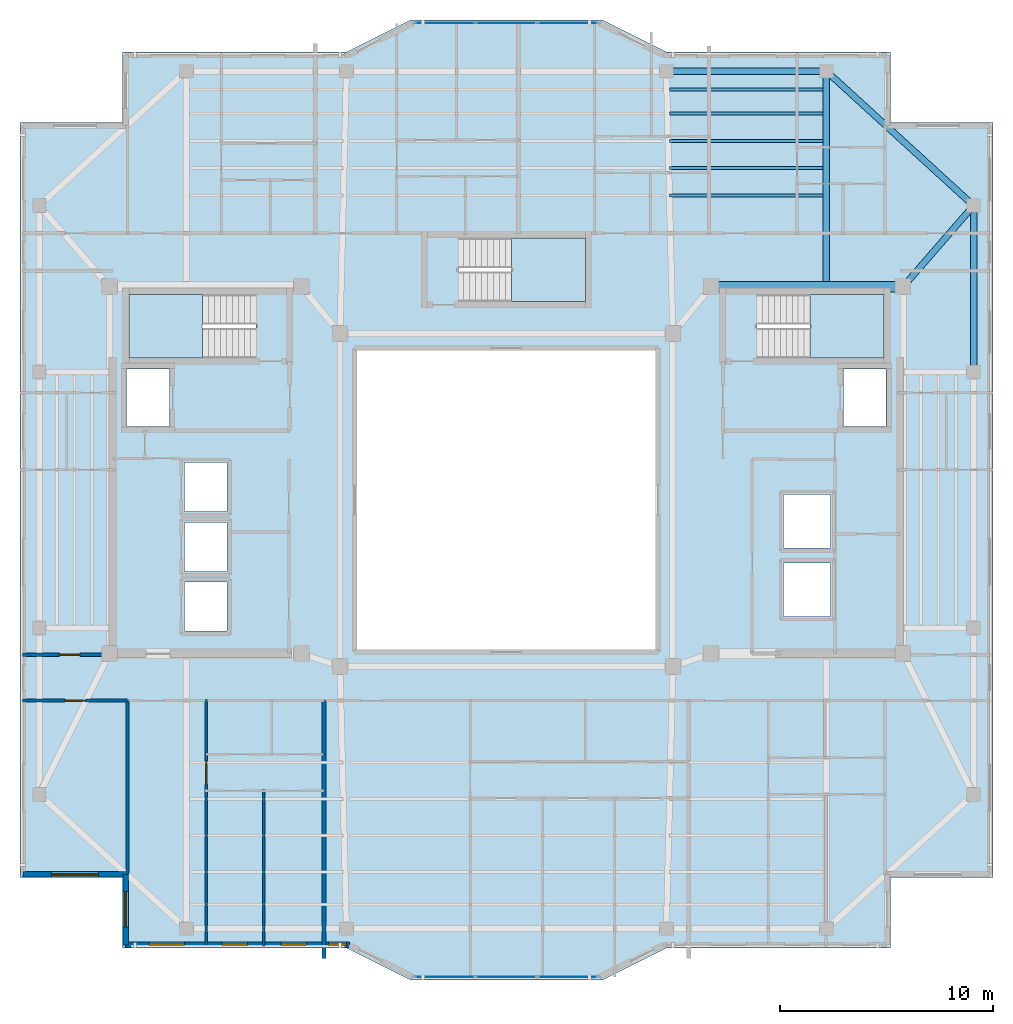
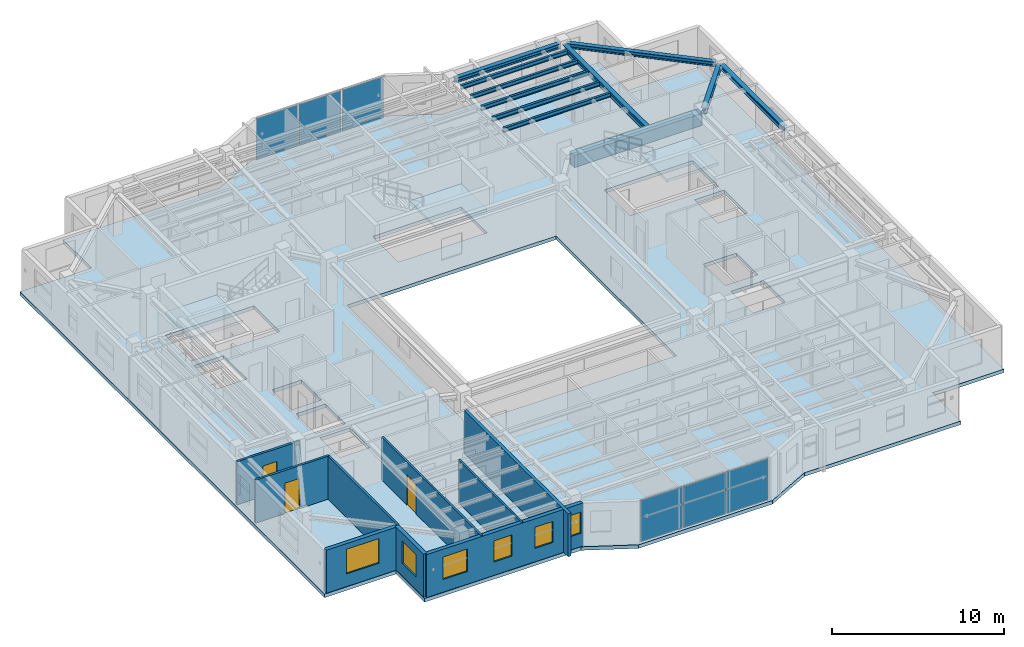
# One storey, part 5 of 15: 11 beams, 9 walls, 6 plates, 6 windows, 4 slabs, 3 doors, 9 openings, 5 elements without a shape of their own.
"""IFC4 building model written with IfcOpenShell, lengths in metres."""

from ifc_helpers import new_model, si_unit, direction, frame, frame_2d, origin, origin_2d, place, context, subcontext, project, spatial, polyline, rectangle, i_section, outline, extrude, material, layer, layer_set, material_profile, profile_set, type_object, element, fill, aggregate, save


model = new_model("IFC4")

# Units and contexts
model_context = context("Model", 3, precision=1e-05, world=origin(), true_north=direction((0.0, 1.0)))
body_context = subcontext(model_context, "Body", "Model", "MODEL_VIEW")
ifc_project = project(units=[si_unit("LENGTHUNIT", "METRE"), si_unit("AREAUNIT", "SQUARE_METRE"), si_unit("VOLUMEUNIT", "CUBIC_METRE"), si_unit("PLANEANGLEUNIT", "RADIAN"), si_unit("MASSUNIT", "GRAM", prefix="KILO")], contexts=[model_context])

# Site, building, storey
site_placement = place(None, origin())
site = spatial("IfcSite", under=ifc_project, at=site_placement, CompositionType="ELEMENT")
building_placement = place(site_placement, origin())
building = spatial("IfcBuilding", under=site, at=building_placement, Name="Tarnavaz Court Tower", CompositionType="ELEMENT")
storey_placement = place(building_placement, frame((0.0, 0.0, 268.300048828125)))
storey = spatial("IfcBuildingStorey", under=building, at=storey_placement, Name="L73", CompositionType="ELEMENT", Elevation=268.300048828125)

# Beams
ifc_material_1 = material(Name="Concrete C50/60", Category="concrete")
ifc_material_profile_1 = material_profile(ifc_material_1, rectangle(XDim=0.5, YDim=0.85009765625, at=origin_2d()), Name="RC 500X850")
ifc_profile_set_1 = profile_set([ifc_material_profile_1], Name="Concrete C50/60")
beam_type_1 = type_object("IfcBeamType", Name="BM-CB850", PredefinedType="LINTEL", material=ifc_profile_set_1)
beam_1_placement = place(storey_placement, frame((18.3798828125, 10.0, 2.625), z_axis=(-1.0, 0.0, 0.0), x_axis=(0.0, -1.0, 0.0)))
element("IfcBeam", 1, at=beam_1_placement, inside=storey, type_object=beam_type_1, Name="L73 Beam IN-CE-NO-CE-NI", PredefinedType="LINTEL", context=body_context, shape_type="SweptSolid", body=[
    extrude(rectangle(XDim=0.5, YDim=0.85009765625, at=origin_2d()), origin(), (0.0, 0.0, 1.0), 8.559814453125),
])
ifc_material_2 = material(Name="Steel S355", Category="steel")
ifc_material_profile_2 = material_profile(ifc_material_2, i_section(OverallWidth=0.300048828125, OverallDepth=0.39990234375, WebThickness=0.013427734375, FlangeThickness=0.02392578125, FilletRadius=0.027099609375, at=origin_2d()), Name="HEB 400")
ifc_profile_set_2 = profile_set([ifc_material_profile_2], Name="Steel S355")
beam_type_2 = type_object("IfcBeamType", Name="BM-G-HEB400", PredefinedType="USERDEFINED", material=ifc_profile_set_2)
beam_2_placement = place(storey_placement, frame((15.0, 10.0400390625, 2.849853515625), z_axis=(0.0, 1.0, 0.0), x_axis=(-1.0, 0.0, 0.0)))
element("IfcBeam", 2, at=beam_2_placement, inside=storey, type_object=beam_type_2, Name="L73 Beam RG-04", ObjectType="GIRDER", PredefinedType="USERDEFINED", context=body_context, shape_type="SweptSolid", body=[
    extrude(i_section(OverallWidth=0.300048828125, OverallDepth=0.39990234375, WebThickness=0.013427734375, FlangeThickness=0.02392578125, FilletRadius=0.027099609375, at=origin_2d()), origin(), (0.0, 0.0, 1.0), 9.83984375),
])
beam_3_placement = place(storey_placement, frame((18.744384765625, 10.166015625, 2.849853515625), z_axis=(0.65565475567, 0.755060819648, 0.0), x_axis=(-0.755060819648, 0.65565475567, 0.0)))
element("IfcBeam", 3, at=beam_3_placement, inside=storey, type_object=beam_type_2, Name="L73 Beam RG-12", ObjectType="GIRDER", PredefinedType="USERDEFINED", context=body_context, shape_type="SweptSolid", body=[
    extrude(i_section(OverallWidth=0.300048828125, OverallDepth=0.39990234375, WebThickness=0.013427734375, FlangeThickness=0.02392578125, FilletRadius=0.027099609375, at=origin_2d()), origin(), (0.0, 0.0, 1.0), 4.5927734375),
])
ifc_material_profile_3 = material_profile(ifc_material_2, i_section(OverallWidth=0.14990234375, OverallDepth=0.300048828125, WebThickness=0.007080078125, FlangeThickness=0.0107421875, FilletRadius=0.014892578125, at=origin_2d()), Name="IPE 300")
ifc_profile_set_3 = profile_set([ifc_material_profile_3], Name="Steel S355")
beam_type_3 = type_object("IfcBeamType", Name="BM-J-IPE300", PredefinedType="JOIST", material=ifc_profile_set_3)
for number, where, z_axis, x_axis, name in (
    (4, (7.64990234375, 14.278076171875, 2.89990234375), (1.0, 0.0, 0.0), (0.0, 1.0, 0.0), "L73 Beam JN1-3"),
    (5, (7.64990234375, 15.555908203125, 2.89990234375), (1.0, 0.0, 0.0), (0.0, 1.0, 0.0), "L73 Beam JN2-3"),
    (6, (7.64990234375, 16.833984375, 2.89990234375), (1.0, 0.0, 0.0), (0.0, 1.0, 0.0), "L73 Beam JN3-3"),
    (7, (7.64990234375, 18.112060546875, 2.89990234375), (1.0, 0.0, 0.0), (0.0, 1.0, 0.0), "L73 Beam JN4-3"),
    (8, (7.64990234375, 19.248046875, 2.89990234375), (1.0, 0.0, 0.0), (0.0, 1.0, 0.0), "L73 Beam JN5-3"),
):
    element("IfcBeam", number, at=place(storey_placement, frame(where, z_axis=z_axis, x_axis=x_axis)), inside=storey, type_object=beam_type_3, Name=name, PredefinedType="JOIST", context=body_context, shape_type="SweptSolid", body=[
        extrude(i_section(OverallWidth=0.14990234375, OverallDepth=0.300048828125, WebThickness=0.007080078125, FlangeThickness=0.0107421875, FilletRadius=0.014892578125, at=origin_2d()), origin(), (0.0, 0.0, 1.0), 7.2001953125),
    ])
ifc_material_profile_4 = material_profile(ifc_material_2, i_section(OverallWidth=0.300048828125, OverallDepth=0.330078125, WebThickness=0.009521484375, FlangeThickness=0.0166015625, FilletRadius=0.027099609375, at=origin_2d()), Name="HEA 340")
ifc_profile_set_4 = profile_set([ifc_material_profile_4], Name="Steel S355")
beam_type_4 = type_object("IfcBeamType", Name="BM-SP-HEA340", PredefinedType="BEAM", material=ifc_profile_set_4)
beam_4_placement = place(storey_placement, frame((7.719970703125, 20.10009765625, 2.885009765625), z_axis=(1.0, 0.0, 0.0), x_axis=(0.0, 1.0, 0.0)))
element("IfcBeam", 9, at=beam_4_placement, inside=storey, type_object=beam_type_4, Name="L73 Beam PR-PN-3-PN-4", PredefinedType="BEAM", context=body_context, shape_type="SweptSolid", body=[
    extrude(i_section(OverallWidth=0.300048828125, OverallDepth=0.330078125, WebThickness=0.009521484375, FlangeThickness=0.0166015625, FilletRadius=0.027099609375, at=origin_2d()), origin(), (0.0, 0.0, 1.0), 7.06005859375),
])
beam_5_placement = place(storey_placement, frame((21.89990234375, 6.219970703125, 2.885009765625), z_axis=(0.0, 1.0, 0.0), x_axis=(-1.0, 0.0, 0.0)))
element("IfcBeam", 10, at=beam_5_placement, inside=storey, type_object=beam_type_4, Name="L73 Beam PR-PE-3-PE-4", PredefinedType="BEAM", context=body_context, shape_type="SweptSolid", body=[
    extrude(i_section(OverallWidth=0.300048828125, OverallDepth=0.330078125, WebThickness=0.009521484375, FlangeThickness=0.0166015625, FilletRadius=0.027099609375, at=origin_2d()), origin(), (0.0, 0.0, 1.0), 7.360107421875),
])
beam_6_placement = place(storey_placement, frame((15.16259765625, 19.95166015625, 2.885009765625), z_axis=(0.738474214476, -0.674281717499, 0.0), x_axis=(0.674281717499, 0.738474214476, 0.0)))
element("IfcBeam", 11, at=beam_6_placement, inside=storey, type_object=beam_type_4, Name="L73 Beam PR-PN-4-PE-4", PredefinedType="BEAM", context=body_context, shape_type="SweptSolid", body=[
    extrude(i_section(OverallWidth=0.300048828125, OverallDepth=0.330078125, WebThickness=0.009521484375, FlangeThickness=0.0166015625, FilletRadius=0.027099609375, at=origin_2d()), origin(), (0.0, 0.0, 1.0), 8.9033203125),
])

# Curtain wall, plates
ifc_material_3 = material(Name="Anodised Aluminium 6063-T6 and Solar Low-E Glazing", Category="aluminium")
ifc_layer_1 = layer(ifc_material_3, 0.159912109375)
ifc_layer_set_1 = layer_set([ifc_layer_1], Name="Anodised Aluminium 6063-T6 and Solar Low-E Glazing")
curtain_wall_type = type_object("IfcCurtainWallType", Name="CW-SYS-03", PredefinedType="NOTDEFINED", material=ifc_layer_set_1)
curtain_wall_1_placement = place(storey_placement, origin())
curtain_wall_1 = element("IfcCurtainWall", 12, at=curtain_wall_1_placement, inside=storey, type_object=curtain_wall_type, Name="L73 Iwan Prow Curtain Wall 7", PredefinedType="NOTDEFINED")
ifc_material_4 = material(Name="Double-Glazed Solar Low-E Glass", Category="glass")
ifc_layer_2 = layer(ifc_material_4, 0.028076171875)
ifc_layer_set_2 = layer_set([ifc_layer_2], Name="Double-Glazed Solar Low-E Glass")
plate_type = type_object("IfcPlateType", Name="CW-PAN-GLZ28", PredefinedType="CURTAIN_PANEL", material=ifc_layer_set_2)
plate_1_placement = place(storey_placement, frame((-2.88134765625, 22.35009765625, 0.06494140625), z_axis=(0.0, 0.0, 1.0), x_axis=(1.0, 0.0, 0.0)))
plate_1 = element("IfcPlate", 13, at=plate_1_placement, type_object=plate_type, Name="CW panel 1.1", PredefinedType="CURTAIN_PANEL", context=body_context, shape_type="SweptSolid", body=[
    extrude(rectangle(XDim=2.78759765625, YDim=0.028076171875, at=origin_2d()), origin(), (0.0, 0.0, 1.0), 2.919921875),
])
plate_2_placement = place(storey_placement, frame((0.0, 22.35009765625, 0.06494140625), z_axis=(0.0, 0.0, 1.0), x_axis=(1.0, 0.0, 0.0)))
plate_2 = element("IfcPlate", 14, at=plate_2_placement, type_object=plate_type, Name="CW panel 2.1", PredefinedType="CURTAIN_PANEL", context=body_context, shape_type="SweptSolid", body=[
    extrude(rectangle(XDim=2.824951171875, YDim=0.028076171875, at=origin_2d()), origin(), (0.0, 0.0, 1.0), 2.919921875),
])
plate_3_placement = place(storey_placement, frame((2.88134765625, 22.35009765625, 0.06494140625), z_axis=(0.0, 0.0, 1.0), x_axis=(1.0, 0.0, 0.0)))
plate_3 = element("IfcPlate", 15, at=plate_3_placement, type_object=plate_type, Name="CW panel 3.1", PredefinedType="CURTAIN_PANEL", context=body_context, shape_type="SweptSolid", body=[
    extrude(rectangle(XDim=2.78759765625, YDim=0.028076171875, at=origin_2d()), origin(), (0.0, 0.0, 1.0), 2.919921875),
])
aggregate(curtain_wall_1, [plate_1, plate_2, plate_3])

curtain_wall_2_placement = place(storey_placement, origin())
curtain_wall_2 = element("IfcCurtainWall", 16, at=curtain_wall_2_placement, inside=storey, type_object=curtain_wall_type, Name="L73 Iwan Prow Curtain Wall 17", PredefinedType="NOTDEFINED")
plate_4_placement = place(storey_placement, frame((2.88134765625, -22.35009765625, 0.06494140625), z_axis=(0.0, 0.0, 1.0), x_axis=(-1.0, 0.0, 0.0)))
plate_4 = element("IfcPlate", 17, at=plate_4_placement, type_object=plate_type, Name="CW panel 1.1", PredefinedType="CURTAIN_PANEL", context=body_context, shape_type="SweptSolid", body=[
    extrude(rectangle(XDim=2.78759765625, YDim=0.028076171875, at=origin_2d()), origin(), (0.0, 0.0, 1.0), 2.919921875),
])
plate_5_placement = place(storey_placement, frame((0.0, -22.35009765625, 0.06494140625), z_axis=(0.0, 0.0, 1.0), x_axis=(-1.0, 0.0, 0.0)))
plate_5 = element("IfcPlate", 18, at=plate_5_placement, type_object=plate_type, Name="CW panel 2.1", PredefinedType="CURTAIN_PANEL", context=body_context, shape_type="SweptSolid", body=[
    extrude(rectangle(XDim=2.824951171875, YDim=0.028076171875, at=origin_2d()), origin(), (0.0, 0.0, 1.0), 2.919921875),
])
plate_6_placement = place(storey_placement, frame((-2.88134765625, -22.35009765625, 0.06494140625), z_axis=(0.0, 0.0, 1.0), x_axis=(-1.0, 0.0, 0.0)))
plate_6 = element("IfcPlate", 19, at=plate_6_placement, type_object=plate_type, Name="CW panel 3.1", PredefinedType="CURTAIN_PANEL", context=body_context, shape_type="SweptSolid", body=[
    extrude(rectangle(XDim=2.78759765625, YDim=0.028076171875, at=origin_2d()), origin(), (0.0, 0.0, 1.0), 2.919921875),
])
aggregate(curtain_wall_2, [plate_4, plate_5, plate_6])

# Stair, slab
ifc_material_5 = material(Name="Concrete C40/50", Category="concrete")
stair_type = type_object("IfcStairType", Name="ST-TWR-20R", PredefinedType="HALF_TURN_STAIR", material=ifc_material_5)
stair_1_placement = place(storey_placement, origin())
stair_1 = element("IfcStair", 20, at=stair_1_placement, inside=storey, type_object=stair_type, Name="L73 West Core Pressurized Exit Stair ST-W1", PredefinedType="HALF_TURN_STAIR")
ifc_layer_3 = layer(ifc_material_5, 0.199951171875)
ifc_layer_set_3 = layer_set([ifc_layer_3], Name="Concrete C40/50")
slab_type_1 = type_object("IfcSlabType", Name="SL-LAND-200", PredefinedType="LANDING", material=ifc_layer_set_3)
slab_1_placement = place(storey_placement, frame((0.0, 0.0, 1.474853515625)))
slab_1 = element("IfcSlab", 21, at=slab_1_placement, type_object=slab_type_1, Name="ST-W1 landing 1", PredefinedType="LANDING", context=body_context, shape_type="SweptSolid", body=[
    extrude(outline(polyline([(-14.239990234375, 9.639892578125), (-17.699951171875, 9.639892578125), (-17.699951171875, 6.64990234375), (-14.239990234375, 6.64990234375), (-14.239990234375, 9.639892578125)])), origin(), (0.0, 0.0, 1.0), 0.2001953125),
])
aggregate(stair_1, [slab_1])

stair_2_placement = place(storey_placement, origin())
stair_2 = element("IfcStair", 22, at=stair_2_placement, inside=storey, type_object=stair_type, Name="L73 East Core Pressurized Exit Stair ST-E1", PredefinedType="HALF_TURN_STAIR")
slab_2_placement = place(storey_placement, frame((0.0, 0.0, 1.474853515625)))
slab_2 = element("IfcSlab", 23, at=slab_2_placement, type_object=slab_type_1, Name="ST-E1 landing 1", PredefinedType="LANDING", context=body_context, shape_type="SweptSolid", body=[
    extrude(outline(polyline([(14.239990234375, 6.64990234375), (17.699951171875, 6.64990234375), (17.699951171875, 9.639892578125), (14.239990234375, 9.639892578125), (14.239990234375, 6.64990234375)])), origin(), (0.0, 0.0, 1.0), 0.2001953125),
])
aggregate(stair_2, [slab_2])

stair_3_placement = place(storey_placement, origin())
stair_3 = element("IfcStair", 24, at=stair_3_placement, inside=storey, type_object=stair_type, Name="L73 North Ring Pressurized Exit Stair ST-N1", PredefinedType="HALF_TURN_STAIR")
slab_3_placement = place(storey_placement, frame((0.0, 0.0, 1.474853515625)))
slab_3 = element("IfcSlab", 25, at=slab_3_placement, type_object=slab_type_1, Name="ST-N1 landing 1", PredefinedType="LANDING", context=body_context, shape_type="SweptSolid", body=[
    extrude(outline(polyline([(0.239990234375, 9.300048828125), (3.699951171875, 9.300048828125), (3.699951171875, 12.2900390625), (0.239990234375, 12.2900390625), (0.239990234375, 9.300048828125)])), origin(), (0.0, 0.0, 1.0), 0.2001953125),
])
aggregate(stair_3, [slab_3])

# Slab
ifc_layer_4 = layer(ifc_material_5, 0.25)
ifc_layer_set_4 = layer_set([ifc_layer_4], Name="Concrete C40/50")
slab_type_2 = type_object("IfcSlabType", Name="SL-RES-250", PredefinedType="FLOOR", material=ifc_layer_set_4)
slab_4_placement = place(storey_placement, frame((0.0, 0.0, -0.25)))
element("IfcSlab", 26, at=slab_4_placement, inside=storey, type_object=slab_type_2, Name="L73 Structural Floor Slab", PredefinedType="FLOOR", context=body_context, shape_type="SweptSolid", body=[
    extrude(outline(polyline([(-18.0, -21.0), (-7.5, -21.0), (-4.5, -22.5), (4.5, -22.5), (7.5, -21.0), (18.0, -21.0), (18.0, -17.699951171875), (22.800048828125, -17.699951171875), (22.800048828125, 17.699951171875), (18.0, 17.699951171875), (18.0, 21.0), (7.5, 21.0), (4.5, 22.5), (-4.5, 22.5), (-7.5, 21.0), (-18.0, 21.0), (-18.0, 17.699951171875), (-22.800048828125, 17.699951171875), (-22.800048828125, -17.699951171875), (-18.0, -17.699951171875), (-18.0, -21.0)]), holes=[polyline([(-7.0, -7.0), (7.0, -7.0), (7.0, 7.0), (-7.0, 7.0), (-7.0, -7.0)]), polyline([(-11.7451171875, 9.639892578125), (-17.699951171875, 9.639892578125), (-17.699951171875, 6.64990234375), (-11.7451171875, 6.64990234375), (-11.7451171875, 9.639892578125)]), polyline([(11.7451171875, 6.64990234375), (17.699951171875, 6.64990234375), (17.699951171875, 9.639892578125), (11.7451171875, 9.639892578125), (11.7451171875, 6.64990234375)]), polyline([(-2.2548828125, 9.300048828125), (3.699951171875, 9.300048828125), (3.699951171875, 12.2900390625), (-2.2548828125, 12.2900390625), (-2.2548828125, 9.300048828125)]), polyline([(-17.800048828125, 3.449951171875), (-15.800048828125, 3.449951171875), (-15.800048828125, 6.14990234375), (-17.800048828125, 6.14990234375), (-17.800048828125, 3.449951171875)]), polyline([(-15.10009765625, -6.14990234375), (-13.10009765625, -6.14990234375), (-13.10009765625, -3.85009765625), (-15.10009765625, -3.85009765625), (-15.10009765625, -6.14990234375)]), polyline([(-15.10009765625, -3.35009765625), (-13.10009765625, -3.35009765625), (-13.10009765625, -1.050048828125), (-15.10009765625, -1.050048828125), (-15.10009765625, -3.35009765625)]), polyline([(-15.10009765625, -0.550048828125), (-13.10009765625, -0.550048828125), (-13.10009765625, 1.75), (-15.10009765625, 1.75), (-15.10009765625, -0.550048828125)]), polyline([(15.800048828125, 3.449951171875), (17.800048828125, 3.449951171875), (17.800048828125, 6.14990234375), (15.800048828125, 6.14990234375), (15.800048828125, 3.449951171875)]), polyline([(13.0, -5.449951171875), (15.199951171875, -5.449951171875), (15.199951171875, -2.949951171875), (13.0, -2.949951171875), (13.0, -5.449951171875)]), polyline([(13.0, -2.25), (15.199951171875, -2.25), (15.199951171875, 0.25), (13.0, 0.25), (13.0, -2.25)])]), origin(), (0.0, 0.0, 1.0), 0.25),
])

# Wall, opening, window
ifc_material_6 = material(Name="Precast Concrete C40/50", Category="concrete")
ifc_layer_5 = layer(ifc_material_6, 0.260009765625)
ifc_layer_set_5 = layer_set([ifc_layer_5], Name="Precast Concrete C40/50")
wall_type_1 = type_object("IfcWallType", Name="WL-EXT-260", PredefinedType="SOLIDWALL", material=ifc_layer_set_5)
wall_1_placement = place(storey_placement, frame((-17.85009765625, -17.550048828125, 0.0), z_axis=(0.0, 0.0, 1.0), x_axis=(-1.0, 0.0, 0.0)))
wall_1 = element("IfcWall", 27, at=wall_1_placement, inside=storey, type_object=wall_type_1, Name="L73 Exterior Terracotta Facade Wall 01", PredefinedType="SOLIDWALL", context=body_context, shape_type="SweptSolid", body=[
    extrude(rectangle(XDim=4.7998046875, YDim=0.260009765625, at=frame_2d((2.39990234375, 0.0))), origin(), (0.0, 0.0, 1.0), 3.050048828125),
])
opening_1_placement = place(wall_1_placement, frame((1.274658203125, 0.0, 0.89990234375)))
opening_1 = element("IfcOpeningElement", 28, at=opening_1_placement, cuts=wall_1, Name="Opening W07", PredefinedType="OPENING", context=body_context, shape_type="SweptSolid", body=[
    extrude(rectangle(XDim=2.199951171875, YDim=1.75, at=frame_2d((1.10009765625, 0.875))), frame((0.0, 0.139892578125, 0.0), z_axis=(0.0, -1.0, 0.0), x_axis=(1.0, 0.0, 0.0)), (0.0, 0.0, 1.0), 0.280029296875),
])
window_type_1 = type_object("IfcWindowType", Name="WN-APT-2200", PartitioningType="TRIPLE_PANEL_VERTICAL", PredefinedType="WINDOW", material=ifc_material_4)
window_1_placement = place(opening_1_placement, origin())
window_1 = element("IfcWindow", 29, at=window_1_placement, inside=storey, type_object=window_type_1, Name="L73 South-West Corner Reading Room Window", OverallHeight=1.75, OverallWidth=2.199951171875, PartitioningType="SINGLE_PANEL", PredefinedType="WINDOW", context=body_context, shape_type="SweptSolid", body=[
    extrude(rectangle(XDim=2.199951171875, YDim=1.75, at=frame_2d((1.10009765625, 0.875))), frame((0.0, 0.030029296875, 0.0), z_axis=(0.0, -1.0, 0.0), x_axis=(1.0, 0.0, 0.0)), (0.0, 0.0, 1.0), 0.06005859375),
])
fill(opening_1, window_1)

# Wall, openings, windows
wall_2_placement = place(storey_placement, frame((-7.35009765625, -20.85009765625, 0.0), z_axis=(0.0, 0.0, 1.0), x_axis=(-1.0, 0.0, 0.0)))
wall_2 = element("IfcWall", 30, at=wall_2_placement, inside=storey, type_object=wall_type_1, Name="L73 Exterior Terracotta Facade Wall 19", PredefinedType="SOLIDWALL", context=body_context, shape_type="SweptSolid", body=[
    extrude(rectangle(XDim=10.5, YDim=0.260009765625, at=frame_2d((5.25, 0.0))), origin(), (0.0, 0.0, 1.0), 3.050048828125),
])
opening_2_placement = place(wall_2_placement, frame((0.14501953125, 0.0, 0.949951171875)))
opening_2 = element("IfcOpeningElement", 31, at=opening_2_placement, cuts=wall_2, Name="Opening W15", PredefinedType="OPENING", context=body_context, shape_type="SweptSolid", body=[
    extrude(rectangle(XDim=0.85009765625, YDim=1.5, at=frame_2d((0.425048828125, 0.75))), frame((0.0, 0.139892578125, 0.0), z_axis=(0.0, -1.0, 0.0), x_axis=(1.0, 0.0, 0.0)), (0.0, 0.0, 1.0), 0.280029296875),
])
opening_3_placement = place(wall_2_placement, frame((2.02490234375, 0.0, 0.949951171875)))
opening_3 = element("IfcOpeningElement", 32, at=opening_3_placement, cuts=wall_2, Name="Opening W05", PredefinedType="OPENING", context=body_context, shape_type="SweptSolid", body=[
    extrude(rectangle(XDim=1.199951171875, YDim=1.5, at=frame_2d((0.60009765625, 0.75))), frame((0.0, 0.139892578125, 0.0), z_axis=(0.0, -1.0, 0.0), x_axis=(1.0, 0.0, 0.0)), (0.0, 0.0, 1.0), 0.280029296875),
])
opening_4_placement = place(wall_2_placement, frame((4.77490234375, 0.0, 0.949951171875)))
opening_4 = element("IfcOpeningElement", 33, at=opening_4_placement, cuts=wall_2, Name="Opening W05", PredefinedType="OPENING", context=body_context, shape_type="SweptSolid", body=[
    extrude(rectangle(XDim=1.199951171875, YDim=1.5, at=frame_2d((0.60009765625, 0.75))), frame((0.0, 0.139892578125, 0.0), z_axis=(0.0, -1.0, 0.0), x_axis=(1.0, 0.0, 0.0)), (0.0, 0.0, 1.0), 0.280029296875),
])
opening_5_placement = place(wall_2_placement, frame((7.75, 0.0, 0.89990234375)))
opening_5 = element("IfcOpeningElement", 34, at=opening_5_placement, cuts=wall_2, Name="Opening W02", PredefinedType="OPENING", context=body_context, shape_type="SweptSolid", body=[
    extrude(rectangle(XDim=1.64990234375, YDim=1.60009765625, at=frame_2d((0.824951171875, 0.800048828125))), frame((0.0, 0.139892578125, 0.0), z_axis=(0.0, -1.0, 0.0), x_axis=(1.0, 0.0, 0.0)), (0.0, 0.0, 1.0), 0.280029296875),
])
window_type_2 = type_object("IfcWindowType", Name="WN-APT-1200", PartitioningType="SINGLE_PANEL", PredefinedType="WINDOW", material=ifc_material_4)
window_2_placement = place(opening_3_placement, origin())
window_2 = element("IfcWindow", 35, at=window_2_placement, inside=storey, type_object=window_type_2, Name="L73 Flat 05 Bedroom 2 Window", OverallHeight=1.5, OverallWidth=1.199951171875, PartitioningType="SINGLE_PANEL", PredefinedType="WINDOW", context=body_context, shape_type="SweptSolid", body=[
    extrude(rectangle(XDim=1.199951171875, YDim=1.5, at=frame_2d((0.60009765625, 0.75))), frame((0.0, 0.030029296875, 0.0), z_axis=(0.0, -1.0, 0.0), x_axis=(1.0, 0.0, 0.0)), (0.0, 0.0, 1.0), 0.06005859375),
])
fill(opening_3, window_2)
window_3_placement = place(opening_4_placement, origin())
window_3 = element("IfcWindow", 36, at=window_3_placement, inside=storey, type_object=window_type_2, Name="L73 Flat 05 Principal Bedroom Window", OverallHeight=1.5, OverallWidth=1.199951171875, PartitioningType="SINGLE_PANEL", PredefinedType="WINDOW", context=body_context, shape_type="SweptSolid", body=[
    extrude(rectangle(XDim=1.199951171875, YDim=1.5, at=frame_2d((0.60009765625, 0.75))), frame((0.0, 0.030029296875, 0.0), z_axis=(0.0, -1.0, 0.0), x_axis=(1.0, 0.0, 0.0)), (0.0, 0.0, 1.0), 0.06005859375),
])
fill(opening_4, window_3)
window_type_3 = type_object("IfcWindowType", Name="WN-APT-1650", PartitioningType="DOUBLE_PANEL_VERTICAL", PredefinedType="WINDOW", material=ifc_material_4)
window_4_placement = place(opening_5_placement, origin())
window_4 = element("IfcWindow", 37, at=window_4_placement, inside=storey, type_object=window_type_3, Name="L73 Flat 05 Living and Dining Room Window", OverallHeight=1.60009765625, OverallWidth=1.64990234375, PartitioningType="SINGLE_PANEL", PredefinedType="WINDOW", context=body_context, shape_type="SweptSolid", body=[
    extrude(rectangle(XDim=1.64990234375, YDim=1.60009765625, at=frame_2d((0.824951171875, 0.800048828125))), frame((0.0, 0.030029296875, 0.0), z_axis=(0.0, -1.0, 0.0), x_axis=(1.0, 0.0, 0.0)), (0.0, 0.0, 1.0), 0.06005859375),
])
fill(opening_5, window_4)
window_type_4 = type_object("IfcWindowType", Name="WN-APT-850", PartitioningType="SINGLE_PANEL", PredefinedType="WINDOW", material=ifc_material_4)
window_5_placement = place(opening_2_placement, origin())
window_5 = element("IfcWindow", 38, at=window_5_placement, inside=storey, type_object=window_type_4, Name="L73 Flat 07 Living and Dining Room Window", OverallHeight=1.5, OverallWidth=0.85009765625, PartitioningType="SINGLE_PANEL", PredefinedType="WINDOW", context=body_context, shape_type="SweptSolid", body=[
    extrude(rectangle(XDim=0.85009765625, YDim=1.5, at=frame_2d((0.425048828125, 0.75))), frame((0.0, 0.030029296875, 0.0), z_axis=(0.0, -1.0, 0.0), x_axis=(1.0, 0.0, 0.0)), (0.0, 0.0, 1.0), 0.06005859375),
])
fill(opening_2, window_5)

# Wall, opening, window
wall_3_placement = place(storey_placement, frame((-17.85009765625, -20.85009765625, 0.0), z_axis=(0.0, 0.0, 1.0), x_axis=(0.0, 1.0, 0.0)))
wall_3 = element("IfcWall", 39, at=wall_3_placement, inside=storey, type_object=wall_type_1, Name="L73 Exterior Terracotta Facade Wall 20", PredefinedType="SOLIDWALL", context=body_context, shape_type="SweptSolid", body=[
    extrude(rectangle(XDim=3.300048828125, YDim=0.260009765625, at=frame_2d((1.64990234375, 0.0))), origin(), (0.0, 0.0, 1.0), 3.050048828125),
])
opening_6_placement = place(wall_3_placement, frame((0.842529296875, 0.0, 0.89990234375)))
opening_6 = element("IfcOpeningElement", 40, at=opening_6_placement, cuts=wall_3, Name="Opening W02", PredefinedType="OPENING", context=body_context, shape_type="SweptSolid", body=[
    extrude(rectangle(XDim=1.64990234375, YDim=1.60009765625, at=frame_2d((0.824951171875, 0.800048828125))), frame((0.0, 0.139892578125, 0.0), z_axis=(0.0, -1.0, 0.0), x_axis=(1.0, 0.0, 0.0)), (0.0, 0.0, 1.0), 0.280029296875),
])
window_6_placement = place(opening_6_placement, origin())
window_6 = element("IfcWindow", 41, at=window_6_placement, inside=storey, type_object=window_type_3, Name="L73 Flat 05 Living and Dining Room Window", OverallHeight=1.60009765625, OverallWidth=1.64990234375, PartitioningType="SINGLE_PANEL", PredefinedType="WINDOW", context=body_context, shape_type="SweptSolid", body=[
    extrude(rectangle(XDim=1.64990234375, YDim=1.60009765625, at=frame_2d((0.824951171875, 0.800048828125))), frame((0.0, 0.030029296875, 0.0), z_axis=(0.0, -1.0, 0.0), x_axis=(1.0, 0.0, 0.0)), (0.0, 0.0, 1.0), 0.06005859375),
])
fill(opening_6, window_6)

# Wall, opening, door
ifc_material_7 = material(Name="Gypsum Fire-Board on Acoustic Metal Stud", Category="masonry")
ifc_layer_6 = layer(ifc_material_7, 0.14990234375)
ifc_layer_set_6 = layer_set([ifc_layer_6], Name="Gypsum Fire-Board on Acoustic Metal Stud")
wall_type_2 = type_object("IfcWallType", Name="WL-FIRE-150", PredefinedType="PARTITIONING", material=ifc_layer_set_6)
wall_4_placement = place(storey_placement, frame((-22.679931640625, -7.25, 0.0), z_axis=(0.0, 0.0, 1.0), x_axis=(1.0, 0.0, 0.0)))
wall_4 = element("IfcWall", 42, at=wall_4_placement, inside=storey, type_object=wall_type_2, Name="L73 Interior Partition 111", PredefinedType="PARTITIONING", context=body_context, shape_type="SweptSolid", body=[
    extrude(rectangle(XDim=4.22998046875, YDim=0.14990234375, at=frame_2d((2.114990234375, 0.0))), origin(), (0.0, 0.0, 1.0), 3.050048828125),
])
opening_7_placement = place(wall_4_placement, frame((1.72998046875, 0.0, 0.0)))
opening_7 = element("IfcOpeningElement", 43, at=opening_7_placement, cuts=wall_4, Name="Opening D06", PredefinedType="OPENING", context=body_context, shape_type="SweptSolid", body=[
    extrude(rectangle(XDim=0.9599609375, YDim=2.14990234375, at=frame_2d((0.47998046875, 1.074951171875))), frame((0.0, 0.0849609375, 0.0), z_axis=(0.0, -1.0, 0.0), x_axis=(1.0, 0.0, 0.0)), (0.0, 0.0, 1.0), 0.169921875),
])
ifc_material_8 = material(Name="Fire-Rated Hardwood Timber Core", Category="wood")
door_type_1 = type_object("IfcDoorType", Name="DR-FD60-950", OperationType="NOTDEFINED", PredefinedType="DOOR", material=ifc_material_8)
door_1_placement = place(opening_7_placement, origin())
door_1 = element("IfcDoor", 44, at=door_1_placement, inside=storey, type_object=door_type_1, Name="L73 Flat 08 Entrance Door", OperationType="SINGLE_SWING_LEFT", OverallHeight=2.14990234375, OverallWidth=0.9599609375, PredefinedType="DOOR", context=body_context, shape_type="SweptSolid", body=[
    extrude(rectangle(XDim=0.9599609375, YDim=2.14990234375, at=frame_2d((0.47998046875, 1.074951171875))), frame((0.0, 0.02490234375, 0.0), z_axis=(0.0, -1.0, 0.0), x_axis=(1.0, 0.0, 0.0)), (0.0, 0.0, 1.0), 0.050048828125),
])
fill(opening_7, door_1)

wall_5_placement = place(storey_placement, frame((-22.679931640625, -9.39990234375, 0.0), z_axis=(0.0, 0.0, 1.0), x_axis=(1.0, 0.0, 0.0)))
wall_5 = element("IfcWall", 45, at=wall_5_placement, inside=storey, type_object=wall_type_2, Name="L73 Interior Partition 121", PredefinedType="PARTITIONING", context=body_context, shape_type="SweptSolid", body=[
    extrude(rectangle(XDim=4.929931640625, YDim=0.14990234375, at=frame_2d((2.46484375, 0.0))), origin(), (0.0, 0.0, 1.0), 3.050048828125),
])
opening_8_placement = place(wall_5_placement, frame((1.989990234375, 0.0, 0.0)))
opening_8 = element("IfcOpeningElement", 46, at=opening_8_placement, cuts=wall_5, Name="Opening D13", PredefinedType="OPENING", context=body_context, shape_type="SweptSolid", body=[
    extrude(rectangle(XDim=0.949951171875, YDim=2.14990234375, at=frame_2d((0.47509765625, 1.074951171875))), frame((0.0, 0.0849609375, 0.0), z_axis=(0.0, -1.0, 0.0), x_axis=(1.0, 0.0, 0.0)), (0.0, 0.0, 1.0), 0.169921875),
])
ifc_material_9 = material(Name="Engineered Oak Timber", Category="wood")
door_type_2 = type_object("IfcDoorType", Name="DR-INT-950", OperationType="NOTDEFINED", PredefinedType="DOOR", material=ifc_material_9)
door_2_placement = place(opening_8_placement, origin())
door_2 = element("IfcDoor", 47, at=door_2_placement, inside=storey, type_object=door_type_2, Name="L73 SW Reading Room Door", OperationType="SINGLE_SWING_LEFT", OverallHeight=2.14990234375, OverallWidth=0.949951171875, PredefinedType="DOOR", context=body_context, shape_type="SweptSolid", body=[
    extrude(rectangle(XDim=0.949951171875, YDim=2.14990234375, at=frame_2d((0.47509765625, 1.074951171875))), frame((0.0, 0.02490234375, 0.0), z_axis=(0.0, -1.0, 0.0), x_axis=(1.0, 0.0, 0.0)), (0.0, 0.0, 1.0), 0.050048828125),
])
fill(opening_8, door_2)

# Wall
ifc_material_10 = material(Name="Autoclaved Aerated Concrete Blockwork", Category="masonry")
ifc_layer_7 = layer(ifc_material_10, 0.199951171875)
ifc_layer_set_7 = layer_set([ifc_layer_7], Name="Autoclaved Aerated Concrete Blockwork")
wall_type_3 = type_object("IfcWallType", Name="WL-FIRE-200", PredefinedType="SOLIDWALL", material=ifc_layer_set_7)
wall_6_placement = place(storey_placement, frame((-8.550048828125, -21.50390625, 0.0), z_axis=(0.0, 0.0, 1.0), x_axis=(0.0, 1.0, 0.0)))
element("IfcWall", 48, at=wall_6_placement, inside=storey, type_object=wall_type_3, Name="L73 Party Wall 101", PredefinedType="SOLIDWALL", context=body_context, shape_type="SweptSolid", body=[
    extrude(rectangle(XDim=12.10400390625, YDim=0.199951171875, at=frame_2d((6.052001953125, 0.0))), origin(), (0.0, 0.0, 1.0), 3.050048828125),
])

# Wall, opening, door
ifc_material_11 = material(Name="Moisture-Resistant Gypsum Board Partition", Category="masonry")
ifc_layer_8 = layer(ifc_material_11, 0.1201171875)
ifc_layer_set_8 = layer_set([ifc_layer_8], Name="Moisture-Resistant Gypsum Board Partition")
wall_type_4 = type_object("IfcWallType", Name="WL-PART-120", PredefinedType="PARTITIONING", material=ifc_layer_set_8)
wall_7_placement = place(storey_placement, frame((-14.077880859375, -20.89990234375, 0.0), z_axis=(0.0, 0.0, 1.0), x_axis=(0.0, 1.0, 0.0)))
wall_7 = element("IfcWall", 49, at=wall_7_placement, inside=storey, type_object=wall_type_4, Name="L73 Interior Partition 089", PredefinedType="PARTITIONING", context=body_context, shape_type="SweptSolid", body=[
    extrude(rectangle(XDim=11.559814453125, YDim=0.1201171875, at=frame_2d((5.77978515625, 0.0))), origin(), (0.0, 0.0, 1.0), 3.050048828125),
])
opening_9_placement = place(wall_7_placement, frame((7.56494140625, 0.0, 0.0)))
opening_9 = element("IfcOpeningElement", 50, at=opening_9_placement, cuts=wall_7, Name="Opening D12", PredefinedType="OPENING", context=body_context, shape_type="SweptSolid", body=[
    extrude(rectangle(XDim=1.080078125, YDim=2.14990234375, at=frame_2d((0.5400390625, 1.074951171875))), frame((0.0, 0.070068359375, 0.0), z_axis=(0.0, -1.0, 0.0), x_axis=(1.0, 0.0, 0.0)), (0.0, 0.0, 1.0), 0.14013671875),
])
door_type_3 = type_object("IfcDoorType", Name="DR-INT-1100", OperationType="NOTDEFINED", PredefinedType="DOOR", material=ifc_material_9)
door_3_placement = place(opening_9_placement, origin())
door_3 = element("IfcDoor", 51, at=door_3_placement, inside=storey, type_object=door_type_3, Name="L73 Flat 05 Foyer Door", OperationType="SINGLE_SWING_LEFT", OverallHeight=2.14990234375, OverallWidth=1.080078125, PredefinedType="DOOR", context=body_context, shape_type="SweptSolid", body=[
    extrude(rectangle(XDim=1.080078125, YDim=2.14990234375, at=frame_2d((0.5400390625, 1.074951171875))), frame((0.0, 0.02490234375, 0.0), z_axis=(0.0, -1.0, 0.0), x_axis=(1.0, 0.0, 0.0)), (0.0, 0.0, 1.0), 0.050048828125),
])
fill(opening_9, door_3)

# Walls
wall_8_placement = place(storey_placement, frame((-11.368896484375, -20.89990234375, 0.0), z_axis=(0.0, 0.0, 1.0), x_axis=(0.0, 1.0, 0.0)))
element("IfcWall", 52, at=wall_8_placement, inside=storey, type_object=wall_type_4, Name="L73 Interior Partition 094", PredefinedType="PARTITIONING", context=body_context, shape_type="SweptSolid", body=[
    extrude(rectangle(XDim=7.33984375, YDim=0.1201171875, at=frame_2d((3.669921875, 0.0))), origin(), (0.0, 0.0, 1.0), 3.050048828125),
])
ifc_material_12 = material(Name="Gypsum Plasterboard Acoustic Partition", Category="masonry")
ifc_layer_9 = layer(ifc_material_12, 0.139892578125)
ifc_layer_set_9 = layer_set([ifc_layer_9], Name="Gypsum Plasterboard Acoustic Partition")
wall_type_5 = type_object("IfcWallType", Name="WL-PART-150", PredefinedType="PARTITIONING", material=ifc_layer_set_9)
wall_9_placement = place(storey_placement, frame((-17.75, -17.550048828125, 0.0), z_axis=(0.0, 0.0, 1.0), x_axis=(0.0, 1.0, 0.0)))
element("IfcWall", 53, at=wall_9_placement, inside=storey, type_object=wall_type_5, Name="L73 Interior Partition 115", PredefinedType="PARTITIONING", context=body_context, shape_type="SweptSolid", body=[
    extrude(rectangle(XDim=8.150146484375, YDim=0.139892578125, at=frame_2d((4.0751953125, 0.0))), origin(), (0.0, 0.0, 1.0), 3.050048828125),
])

save(model, "model.ifc")
